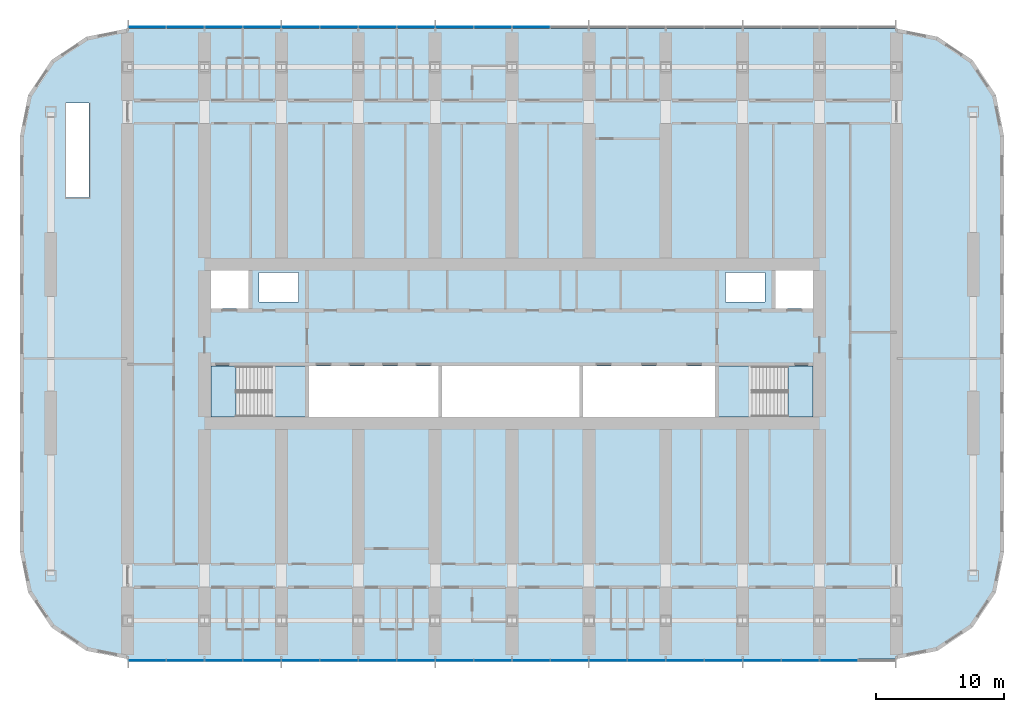
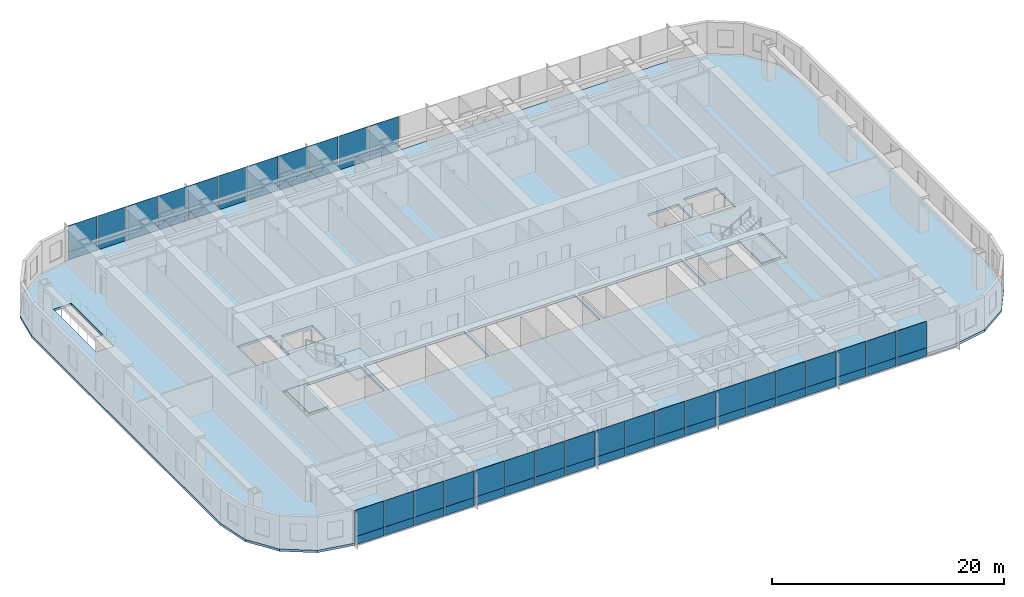
# One storey, part 8 of 22: 60 plates, 5 slabs, 4 elements without a shape of their own.
"""IFC4 building model written with IfcOpenShell, lengths in metres."""

import ifcopenshell
import ifcopenshell.guid

model = None  # the IFC model being written
_history = None  # IfcOwnerHistory: only IFC2X3 demands one
_inside = {}  # id of a spatial element -> (the spatial element, [elements in it])
_under = {}  # id of a project, library or spatial element -> (it, [spatial elements below it])
_declared = {}  # id of a project -> (the project, [libraries it declares])
_typed = {}  # id of a type object -> (the type object, [elements of that type])
_made_of = {}  # id of a material, layer set ... -> (it, [elements and type objects made of it])


def new_model(schema):
    """Start an empty IFC model of exactly this schema.

    Asked for "IFC4X3", IfcOpenShell would pick the latest addendum, in which some entities
    have other attributes; the version numbers below select the first issue.
    IFC2X3 requires an IfcOwnerHistory on every rooted entity: one is made here for all.
    """
    global model, _history
    if schema == "IFC4X3":
        model = ifcopenshell.file(schema_version=(4, 3, 0, 0))
    else:
        model = ifcopenshell.file(schema=schema)
    _inside.clear()
    _under.clear()
    _declared.clear()
    _typed.clear()
    _made_of.clear()
    _history = None
    if model.schema == "IFC2X3":
        org = make("IfcOrganization", Name="unknown")
        user = make(
            "IfcPersonAndOrganization",
            ThePerson=make("IfcPerson", FamilyName="unknown"),
            TheOrganization=org,
        )
        app = make(
            "IfcApplication",
            ApplicationDeveloper=org,
            Version="unknown",
            ApplicationFullName="unknown",
            ApplicationIdentifier="unknown",
        )
        _history = make(
            "IfcOwnerHistory",
            OwningUser=user,
            OwningApplication=app,
            ChangeAction="ADDED",
            CreationDate=0,
        )
    return model


def make(cls, **values):
    """One entity of the class cls with the attributes given. An attribute that is None is left unset."""
    return model.create_entity(
        cls, **{name: value for name, value in values.items() if value is not None}
    )


def rooted(cls, **values):
    """An entity with a GlobalId (a new one), such as an element, a storey or a relation."""
    return make(cls, GlobalId=ifcopenshell.guid.new(), OwnerHistory=_history, **values)


def si_unit(unit_type, name, prefix=None):
    """IfcSIUnit, for example si_unit("LENGTHUNIT", "METRE", prefix="MILLI")."""
    return make("IfcSIUnit", UnitType=unit_type, Prefix=prefix, Name=name)


def assignment(units):
    """IfcUnitAssignment: the units of a project."""
    return None if units is None else make("IfcUnitAssignment", Units=units)


def point(xyz):
    """IfcCartesianPoint."""
    return None if xyz is None else make("IfcCartesianPoint", Coordinates=xyz)


def direction(xyz):
    """IfcDirection."""
    return None if xyz is None else make("IfcDirection", DirectionRatios=xyz)


def frame(location, z_axis=None, x_axis=None):
    """IfcAxis2Placement3D, a coordinate frame: its origin and axes. An axis left out is left unset."""
    return make(
        "IfcAxis2Placement3D",
        Location=point(location),
        Axis=direction(z_axis),
        RefDirection=direction(x_axis),
    )


def frame_2d(location, x_axis=None):
    """IfcAxis2Placement2D, a coordinate frame in the plane: its origin and x axis."""
    return make(
        "IfcAxis2Placement2D", Location=point(location), RefDirection=direction(x_axis)
    )


def origin():
    """The frame at (0, 0, 0) with its axes left unset."""
    return frame((0.0, 0.0, 0.0))


def origin_2d():
    """The frame at (0, 0) in the plane with its x axis left unset."""
    return frame_2d((0.0, 0.0))


def place(relative_to, where):
    """IfcLocalPlacement: puts the frame where relative to a parent placement (None: the world)."""
    return make(
        "IfcLocalPlacement", PlacementRelTo=relative_to, RelativePlacement=where
    )


def context(
    kind, dimensions, precision=None, world=None, true_north=None, identifier=None
):
    """IfcGeometricRepresentationContext, for example the 3D "Model" context."""
    return make(
        "IfcGeometricRepresentationContext",
        ContextIdentifier=identifier,
        ContextType=kind,
        CoordinateSpaceDimension=dimensions,
        Precision=precision,
        WorldCoordinateSystem=world,
        TrueNorth=true_north,
    )


def subcontext(parent, identifier, kind, view, scale=None):
    """IfcGeometricRepresentationSubContext, for example "Body" below "Model"."""
    return make(
        "IfcGeometricRepresentationSubContext",
        ContextIdentifier=identifier,
        ContextType=kind,
        ParentContext=parent,
        TargetScale=scale,
        TargetView=view,
    )


def project(units=None, contexts=None):
    """IfcProject with its units and contexts."""
    return rooted(
        "IfcProject",
        Name="project",
        RepresentationContexts=contexts,
        UnitsInContext=assignment(units),
    )


def spatial(cls, under=None, at=None, **own):
    """A site, building, storey or space (cls), placed at a placement, below another one or the project."""
    s = rooted(cls, ObjectPlacement=at, **own)
    if under is not None:
        _under.setdefault(under.id(), (under, []))[1].append(s)
    return s


def polyline(points):
    """IfcPolyline through the points."""
    return make("IfcPolyline", Points=[point(p) for p in points])


def profile(cls, at=None, kind="AREA", **sizes):
    """A parametric profile (cls). Its sizes go by their IFC names, for example OverallWidth=200.0."""
    return make(cls, ProfileType=kind, Position=at, **sizes)


def rectangle(**sizes):
    """IfcRectangleProfileDef."""
    return profile("IfcRectangleProfileDef", **sizes)


def outline(outer, holes=None, kind="AREA"):
    """IfcArbitraryClosedProfileDef: a profile drawn as a closed curve; with holes, ...WithVoids."""
    if holes is None:
        return make("IfcArbitraryClosedProfileDef", ProfileType=kind, OuterCurve=outer)
    return make(
        "IfcArbitraryProfileDefWithVoids",
        ProfileType=kind,
        OuterCurve=outer,
        InnerCurves=holes,
    )


def extrude(swept, where, along, depth):
    """IfcExtrudedAreaSolid: the profile swept, set in the frame where, extruded along a direction by depth."""
    return make(
        "IfcExtrudedAreaSolid",
        SweptArea=swept,
        Position=where,
        ExtrudedDirection=direction(along),
        Depth=depth,
    )


def shape(context_of_items, identifier, shape_type, items):
    """IfcShapeRepresentation: the items that make up one representation, for example the "Body"."""
    return make(
        "IfcShapeRepresentation",
        ContextOfItems=context_of_items,
        RepresentationIdentifier=identifier,
        RepresentationType=shape_type,
        Items=items,
    )


def material(Name=None, Category=None):
    """IfcMaterial."""
    return make("IfcMaterial", Name=Name, Category=Category)


def layer(
    of_material, thickness, ventilated=None, Name=None, Category=None, Priority=None
):
    """IfcMaterialLayer: one layer of a wall or slab, of a material (None: an air gap)."""
    return make(
        "IfcMaterialLayer",
        Material=of_material,
        LayerThickness=thickness,
        IsVentilated=ventilated,
        Name=Name,
        Category=Category,
        Priority=Priority,
    )


def layer_set(layers, Name=None):
    """IfcMaterialLayerSet."""
    return make("IfcMaterialLayerSet", MaterialLayers=layers, LayerSetName=Name)


def made_of(thing, what):
    """Note that an element or type object is made of a material, layer set ...; save() writes the relation."""
    if what is not None:
        _made_of.setdefault(what.id(), (what, []))[1].append(thing)
    return thing


def type_object(cls, material=None, **own):
    """A type object (cls), such as IfcWallType, which elements share."""
    return made_of(rooted(cls, **own), material)


def element(
    cls,
    number,
    at=None,
    inside=None,
    cuts=None,
    type_object=None,
    material=None,
    context=None,
    identifier="Body",
    shape_type=None,
    held_by="IfcProductDefinitionShape",
    body=None,
    shapes=None,
    **own,
):
    """One element of the class cls, such as IfcWall. Its Tag is "e" and its number.

    at: its placement. inside: the storey or other place that contains it. cuts: it is an
    opening in that element (IfcRelVoidsElement). A single representation is given by context,
    identifier, shape_type and body (its items); several are given by shapes. held_by: the class
    of the entity that holds the representations. save() writes the other relations.
    """
    e = rooted(cls, Tag="e%d" % number, ObjectPlacement=at, **own)
    if body is not None:
        shapes = [shape(context, identifier, shape_type, body)]
    if shapes is not None:
        e.Representation = make(held_by, Representations=shapes)
    if inside is not None:
        _inside.setdefault(inside.id(), (inside, []))[1].append(e)
    if cuts is not None:
        rooted(
            "IfcRelVoidsElement", RelatingBuildingElement=cuts, RelatedOpeningElement=e
        )
    if type_object is not None:
        _typed.setdefault(type_object.id(), (type_object, []))[1].append(e)
    return made_of(e, material)


def aggregate(whole, parts):
    """IfcRelAggregates: a whole, such as a stair, and the parts it consists of."""
    return rooted("IfcRelAggregates", RelatingObject=whole, RelatedObjects=parts)


def save(model, path):
    """Write the relations noted so far, then the file.

    IfcRelAggregates (storeys below a building ...), IfcRelContainedInSpatialStructure (elements
    in a storey), IfcRelDefinesByType, IfcRelAssociatesMaterial and IfcRelDeclares: one each for
    every whole, place, type object, material and project.
    """
    for whole, parts in _under.values():
        aggregate(whole, parts)
    for where, things in _inside.values():
        rooted(
            "IfcRelContainedInSpatialStructure",
            RelatedElements=things,
            RelatingStructure=where,
        )
    for kind, things in _typed.values():
        rooted("IfcRelDefinesByType", RelatedObjects=things, RelatingType=kind)
    for what, things in _made_of.values():
        rooted("IfcRelAssociatesMaterial", RelatedObjects=things, RelatingMaterial=what)
    for by, libraries in _declared.values():
        rooted("IfcRelDeclares", RelatingContext=by, RelatedDefinitions=libraries)
    model.write(path)


model = new_model("IFC4")

# Units and contexts
model_context = context("Model", 3, precision=1e-05, world=origin(), true_north=direction((0.0, 1.0)))
body_context = subcontext(model_context, "Body", "Model", "MODEL_VIEW")
ifc_project = project(units=[si_unit("LENGTHUNIT", "METRE"), si_unit("AREAUNIT", "SQUARE_METRE"), si_unit("VOLUMEUNIT", "CUBIC_METRE"), si_unit("PLANEANGLEUNIT", "RADIAN"), si_unit("MASSUNIT", "GRAM", prefix="KILO")], contexts=[model_context])

# Site, building, storey
site_placement = place(None, origin())
site = spatial("IfcSite", under=ifc_project, at=site_placement, CompositionType="ELEMENT")
building_placement = place(site_placement, origin())
building = spatial("IfcBuilding", under=site, at=building_placement, Name="Orbita Commons", CompositionType="ELEMENT")
storey_placement = place(building_placement, frame((0.0, 0.0, 57.699951171875)))
storey = spatial("IfcBuildingStorey", under=building, at=storey_placement, Name="L14", CompositionType="ELEMENT", Elevation=57.699951171875)

# Slab
ifc_material_1 = material(Name="Concrete C40/50", Category="concrete")
ifc_layer_1 = layer(ifc_material_1, 0.25)
ifc_layer_set_1 = layer_set([ifc_layer_1], Name="Concrete C40/50")
slab_type_1 = type_object("IfcSlabType", Name="Floor slab 250", PredefinedType="FLOOR", material=ifc_layer_set_1)
slab_1_placement = place(storey_placement, frame((0.0, 0.0, -0.25)))
element("IfcSlab", 1, at=slab_1_placement, inside=storey, type_object=slab_type_1, Name="Floor slab L14", PredefinedType="FLOOR", context=body_context, shape_type="SweptSolid", body=[
    extrude(outline(polyline([(72.0, 7.39990234375), (75.214599609375, 8.039306640625), (77.939697265625, 9.8603515625), (79.760498046875, 12.58544921875), (80.39990234375, 15.800048828125), (80.39990234375, 48.199951171875), (79.760498046875, 51.41455078125), (77.939697265625, 54.1396484375), (75.214599609375, 55.960693359375), (72.0, 56.60009765625), (12.0, 56.60009765625), (8.785400390625, 55.960693359375), (6.060302734375, 54.1396484375), (4.239501953125, 51.41455078125), (3.60009765625, 48.199951171875), (3.60009765625, 15.800048828125), (4.239501953125, 12.58544921875), (6.060302734375, 9.8603515625), (8.785400390625, 8.039306640625), (12.0, 7.39990234375), (72.0, 7.39990234375)]), holes=[polyline([(18.14990234375, 25.949951171875), (25.85009765625, 25.949951171875), (25.85009765625, 30.25), (18.14990234375, 30.25), (18.14990234375, 25.949951171875)]), polyline([(58.14990234375, 25.949951171875), (65.85009765625, 25.949951171875), (65.85009765625, 30.25), (58.14990234375, 30.25), (58.14990234375, 25.949951171875)]), polyline([(18.14990234375, 34.75), (21.449951171875, 34.75), (21.449951171875, 38.050048828125), (18.14990234375, 38.050048828125), (18.14990234375, 34.75)]), polyline([(62.550048828125, 34.75), (65.85009765625, 34.75), (65.85009765625, 38.050048828125), (62.550048828125, 38.050048828125), (62.550048828125, 34.75)]), polyline([(22.25, 35.25), (25.35009765625, 35.25), (25.35009765625, 37.550048828125), (22.25, 37.550048828125), (22.25, 35.25)]), polyline([(58.64990234375, 35.25), (61.75, 35.25), (61.75, 37.550048828125), (58.64990234375, 37.550048828125), (58.64990234375, 35.25)]), polyline([(26.14990234375, 25.949951171875), (36.25, 25.949951171875), (36.25, 30.25), (26.14990234375, 30.25), (26.14990234375, 25.949951171875)]), polyline([(36.550048828125, 25.949951171875), (47.25, 25.949951171875), (47.25, 30.25), (36.550048828125, 30.25), (36.550048828125, 25.949951171875)]), polyline([(47.550048828125, 25.949951171875), (57.85009765625, 25.949951171875), (57.85009765625, 30.25), (47.550048828125, 30.25), (47.550048828125, 25.949951171875)]), polyline([(7.199951171875, 43.39990234375), (9.0, 43.39990234375), (9.0, 50.800048828125), (7.199951171875, 50.800048828125), (7.199951171875, 43.39990234375)])]), origin(), (0.0, 0.0, 1.0), 0.25),
])

# Curtain wall, plates
ifc_material_2 = material(Name="Anodised aluminium frame, pale silver", Category="aluminium")
curtain_wall_type = type_object("IfcCurtainWallType", Name="Unitised curtain wall CW-T, vision and spandrel", PredefinedType="NOTDEFINED", material=ifc_material_2)
curtain_wall_1_placement = place(storey_placement, origin())
curtain_wall_1 = element("IfcCurtainWall", 2, at=curtain_wall_1_placement, inside=storey, type_object=curtain_wall_type, Name="Curtain wall south L14", PredefinedType="NOTDEFINED")
ifc_material_3 = material(Name="Anodised aluminium sheet on mineral wool", Category="aluminium")
ifc_layer_2 = layer(ifc_material_3, 0.050048828125)
ifc_layer_set_2 = layer_set([ifc_layer_2], Name="Anodised aluminium sheet on mineral wool")
plate_type_1 = type_object("IfcPlateType", Name="Spandrel panel, pale aluminium over insulation 50", PredefinedType="CURTAIN_PANEL", material=ifc_layer_set_2)
plate_1_placement = place(storey_placement, frame((13.52001953125, 7.2900390625, -0.14990234375), z_axis=(0.0, 0.0, 1.0), x_axis=(1.0, 0.0, 0.0)))
plate_1 = element("IfcPlate", 3, at=plate_1_placement, type_object=plate_type_1, Name="Panel 1.1 CW-L14-S", PredefinedType="CURTAIN_PANEL", context=body_context, shape_type="SweptSolid", body=[
    extrude(rectangle(XDim=2.8798828125, YDim=0.050048828125, at=origin_2d()), origin(), (0.0, 0.0, 1.0), 0.875),
])
plate_2_placement = place(storey_placement, frame((16.5, 7.2900390625, -0.14990234375), z_axis=(0.0, 0.0, 1.0), x_axis=(1.0, 0.0, 0.0)))
plate_2 = element("IfcPlate", 4, at=plate_2_placement, type_object=plate_type_1, Name="Panel 2.1 CW-L14-S", PredefinedType="CURTAIN_PANEL", context=body_context, shape_type="SweptSolid", body=[
    extrude(rectangle(XDim=2.919921875, YDim=0.050048828125, at=origin_2d()), origin(), (0.0, 0.0, 1.0), 0.875),
])
plate_3_placement = place(storey_placement, frame((19.5, 7.2900390625, -0.14990234375), z_axis=(0.0, 0.0, 1.0), x_axis=(1.0, 0.0, 0.0)))
plate_3 = element("IfcPlate", 5, at=plate_3_placement, type_object=plate_type_1, Name="Panel 3.1 CW-L14-S", PredefinedType="CURTAIN_PANEL", context=body_context, shape_type="SweptSolid", body=[
    extrude(rectangle(XDim=2.919921875, YDim=0.050048828125, at=origin_2d()), origin(), (0.0, 0.0, 1.0), 0.875),
])
plate_4_placement = place(storey_placement, frame((22.5, 7.2900390625, -0.14990234375), z_axis=(0.0, 0.0, 1.0), x_axis=(1.0, 0.0, 0.0)))
plate_4 = element("IfcPlate", 6, at=plate_4_placement, type_object=plate_type_1, Name="Panel 4.1 CW-L14-S", PredefinedType="CURTAIN_PANEL", context=body_context, shape_type="SweptSolid", body=[
    extrude(rectangle(XDim=2.919921875, YDim=0.050048828125, at=origin_2d()), origin(), (0.0, 0.0, 1.0), 0.875),
])
plate_5_placement = place(storey_placement, frame((25.5, 7.2900390625, -0.14990234375), z_axis=(0.0, 0.0, 1.0), x_axis=(1.0, 0.0, 0.0)))
plate_5 = element("IfcPlate", 7, at=plate_5_placement, type_object=plate_type_1, Name="Panel 5.1 CW-L14-S", PredefinedType="CURTAIN_PANEL", context=body_context, shape_type="SweptSolid", body=[
    extrude(rectangle(XDim=2.919921875, YDim=0.050048828125, at=origin_2d()), origin(), (0.0, 0.0, 1.0), 0.875),
])
plate_6_placement = place(storey_placement, frame((28.5, 7.2900390625, -0.14990234375), z_axis=(0.0, 0.0, 1.0), x_axis=(1.0, 0.0, 0.0)))
plate_6 = element("IfcPlate", 8, at=plate_6_placement, type_object=plate_type_1, Name="Panel 6.1 CW-L14-S", PredefinedType="CURTAIN_PANEL", context=body_context, shape_type="SweptSolid", body=[
    extrude(rectangle(XDim=2.919921875, YDim=0.050048828125, at=origin_2d()), origin(), (0.0, 0.0, 1.0), 0.875),
])
plate_7_placement = place(storey_placement, frame((31.5, 7.2900390625, -0.14990234375), z_axis=(0.0, 0.0, 1.0), x_axis=(1.0, 0.0, 0.0)))
plate_7 = element("IfcPlate", 9, at=plate_7_placement, type_object=plate_type_1, Name="Panel 7.1 CW-L14-S", PredefinedType="CURTAIN_PANEL", context=body_context, shape_type="SweptSolid", body=[
    extrude(rectangle(XDim=2.919921875, YDim=0.050048828125, at=origin_2d()), origin(), (0.0, 0.0, 1.0), 0.875),
])
plate_8_placement = place(storey_placement, frame((34.5, 7.2900390625, -0.14990234375), z_axis=(0.0, 0.0, 1.0), x_axis=(1.0, 0.0, 0.0)))
plate_8 = element("IfcPlate", 10, at=plate_8_placement, type_object=plate_type_1, Name="Panel 8.1 CW-L14-S", PredefinedType="CURTAIN_PANEL", context=body_context, shape_type="SweptSolid", body=[
    extrude(rectangle(XDim=2.919921875, YDim=0.050048828125, at=origin_2d()), origin(), (0.0, 0.0, 1.0), 0.875),
])
plate_9_placement = place(storey_placement, frame((37.5, 7.2900390625, -0.14990234375), z_axis=(0.0, 0.0, 1.0), x_axis=(1.0, 0.0, 0.0)))
plate_9 = element("IfcPlate", 11, at=plate_9_placement, type_object=plate_type_1, Name="Panel 9.1 CW-L14-S", PredefinedType="CURTAIN_PANEL", context=body_context, shape_type="SweptSolid", body=[
    extrude(rectangle(XDim=2.919921875, YDim=0.050048828125, at=origin_2d()), origin(), (0.0, 0.0, 1.0), 0.875),
])
plate_10_placement = place(storey_placement, frame((40.5, 7.2900390625, -0.14990234375), z_axis=(0.0, 0.0, 1.0), x_axis=(1.0, 0.0, 0.0)))
plate_10 = element("IfcPlate", 12, at=plate_10_placement, type_object=plate_type_1, Name="Panel 10.1 CW-L14-S", PredefinedType="CURTAIN_PANEL", context=body_context, shape_type="SweptSolid", body=[
    extrude(rectangle(XDim=2.919921875, YDim=0.050048828125, at=origin_2d()), origin(), (0.0, 0.0, 1.0), 0.875),
])
plate_11_placement = place(storey_placement, frame((43.5, 7.2900390625, -0.14990234375), z_axis=(0.0, 0.0, 1.0), x_axis=(1.0, 0.0, 0.0)))
plate_11 = element("IfcPlate", 13, at=plate_11_placement, type_object=plate_type_1, Name="Panel 11.1 CW-L14-S", PredefinedType="CURTAIN_PANEL", context=body_context, shape_type="SweptSolid", body=[
    extrude(rectangle(XDim=2.919921875, YDim=0.050048828125, at=origin_2d()), origin(), (0.0, 0.0, 1.0), 0.875),
])
plate_12_placement = place(storey_placement, frame((46.5, 7.2900390625, -0.14990234375), z_axis=(0.0, 0.0, 1.0), x_axis=(1.0, 0.0, 0.0)))
plate_12 = element("IfcPlate", 14, at=plate_12_placement, type_object=plate_type_1, Name="Panel 12.1 CW-L14-S", PredefinedType="CURTAIN_PANEL", context=body_context, shape_type="SweptSolid", body=[
    extrude(rectangle(XDim=2.919921875, YDim=0.050048828125, at=origin_2d()), origin(), (0.0, 0.0, 1.0), 0.875),
])
plate_13_placement = place(storey_placement, frame((49.5, 7.2900390625, -0.14990234375), z_axis=(0.0, 0.0, 1.0), x_axis=(1.0, 0.0, 0.0)))
plate_13 = element("IfcPlate", 15, at=plate_13_placement, type_object=plate_type_1, Name="Panel 13.1 CW-L14-S", PredefinedType="CURTAIN_PANEL", context=body_context, shape_type="SweptSolid", body=[
    extrude(rectangle(XDim=2.919921875, YDim=0.050048828125, at=origin_2d()), origin(), (0.0, 0.0, 1.0), 0.875),
])
plate_14_placement = place(storey_placement, frame((52.5, 7.2900390625, -0.14990234375), z_axis=(0.0, 0.0, 1.0), x_axis=(1.0, 0.0, 0.0)))
plate_14 = element("IfcPlate", 16, at=plate_14_placement, type_object=plate_type_1, Name="Panel 14.1 CW-L14-S", PredefinedType="CURTAIN_PANEL", context=body_context, shape_type="SweptSolid", body=[
    extrude(rectangle(XDim=2.919921875, YDim=0.050048828125, at=origin_2d()), origin(), (0.0, 0.0, 1.0), 0.875),
])
plate_15_placement = place(storey_placement, frame((55.5, 7.2900390625, -0.14990234375), z_axis=(0.0, 0.0, 1.0), x_axis=(1.0, 0.0, 0.0)))
plate_15 = element("IfcPlate", 17, at=plate_15_placement, type_object=plate_type_1, Name="Panel 15.1 CW-L14-S", PredefinedType="CURTAIN_PANEL", context=body_context, shape_type="SweptSolid", body=[
    extrude(rectangle(XDim=2.919921875, YDim=0.050048828125, at=origin_2d()), origin(), (0.0, 0.0, 1.0), 0.875),
])
plate_16_placement = place(storey_placement, frame((58.5, 7.2900390625, -0.14990234375), z_axis=(0.0, 0.0, 1.0), x_axis=(1.0, 0.0, 0.0)))
plate_16 = element("IfcPlate", 18, at=plate_16_placement, type_object=plate_type_1, Name="Panel 16.1 CW-L14-S", PredefinedType="CURTAIN_PANEL", context=body_context, shape_type="SweptSolid", body=[
    extrude(rectangle(XDim=2.919921875, YDim=0.050048828125, at=origin_2d()), origin(), (0.0, 0.0, 1.0), 0.875),
])
plate_17_placement = place(storey_placement, frame((61.5, 7.2900390625, -0.14990234375), z_axis=(0.0, 0.0, 1.0), x_axis=(1.0, 0.0, 0.0)))
plate_17 = element("IfcPlate", 19, at=plate_17_placement, type_object=plate_type_1, Name="Panel 17.1 CW-L14-S", PredefinedType="CURTAIN_PANEL", context=body_context, shape_type="SweptSolid", body=[
    extrude(rectangle(XDim=2.919921875, YDim=0.050048828125, at=origin_2d()), origin(), (0.0, 0.0, 1.0), 0.875),
])
plate_18_placement = place(storey_placement, frame((64.5, 7.2900390625, -0.14990234375), z_axis=(0.0, 0.0, 1.0), x_axis=(1.0, 0.0, 0.0)))
plate_18 = element("IfcPlate", 20, at=plate_18_placement, type_object=plate_type_1, Name="Panel 18.1 CW-L14-S", PredefinedType="CURTAIN_PANEL", context=body_context, shape_type="SweptSolid", body=[
    extrude(rectangle(XDim=2.919921875, YDim=0.050048828125, at=origin_2d()), origin(), (0.0, 0.0, 1.0), 0.875),
])
plate_19_placement = place(storey_placement, frame((67.5, 7.2900390625, -0.14990234375), z_axis=(0.0, 0.0, 1.0), x_axis=(1.0, 0.0, 0.0)))
plate_19 = element("IfcPlate", 21, at=plate_19_placement, type_object=plate_type_1, Name="Panel 19.1 CW-L14-S", PredefinedType="CURTAIN_PANEL", context=body_context, shape_type="SweptSolid", body=[
    extrude(rectangle(XDim=2.919921875, YDim=0.050048828125, at=origin_2d()), origin(), (0.0, 0.0, 1.0), 0.875),
])

curtain_wall_2_placement = place(storey_placement, origin())
curtain_wall_2 = element("IfcCurtainWall", 22, at=curtain_wall_2_placement, inside=storey, type_object=curtain_wall_type, Name="Curtain wall north L14", PredefinedType="NOTDEFINED")
plate_20_placement = place(storey_placement, frame((43.5, 56.7099609375, -0.14990234375), z_axis=(0.0, 0.0, 1.0), x_axis=(-1.0, 0.0, 0.0)))
plate_20 = element("IfcPlate", 23, at=plate_20_placement, type_object=plate_type_1, Name="Panel 10.1 CW-L14-N", PredefinedType="CURTAIN_PANEL", context=body_context, shape_type="SweptSolid", body=[
    extrude(rectangle(XDim=2.919921875, YDim=0.050048828125, at=origin_2d()), origin(), (0.0, 0.0, 1.0), 0.875),
])
plate_21_placement = place(storey_placement, frame((40.5, 56.7099609375, -0.14990234375), z_axis=(0.0, 0.0, 1.0), x_axis=(-1.0, 0.0, 0.0)))
plate_21 = element("IfcPlate", 24, at=plate_21_placement, type_object=plate_type_1, Name="Panel 11.1 CW-L14-N", PredefinedType="CURTAIN_PANEL", context=body_context, shape_type="SweptSolid", body=[
    extrude(rectangle(XDim=2.919921875, YDim=0.050048828125, at=origin_2d()), origin(), (0.0, 0.0, 1.0), 0.875),
])
plate_22_placement = place(storey_placement, frame((37.5, 56.7099609375, -0.14990234375), z_axis=(0.0, 0.0, 1.0), x_axis=(-1.0, 0.0, 0.0)))
plate_22 = element("IfcPlate", 25, at=plate_22_placement, type_object=plate_type_1, Name="Panel 12.1 CW-L14-N", PredefinedType="CURTAIN_PANEL", context=body_context, shape_type="SweptSolid", body=[
    extrude(rectangle(XDim=2.919921875, YDim=0.050048828125, at=origin_2d()), origin(), (0.0, 0.0, 1.0), 0.875),
])
plate_23_placement = place(storey_placement, frame((34.5, 56.7099609375, -0.14990234375), z_axis=(0.0, 0.0, 1.0), x_axis=(-1.0, 0.0, 0.0)))
plate_23 = element("IfcPlate", 26, at=plate_23_placement, type_object=plate_type_1, Name="Panel 13.1 CW-L14-N", PredefinedType="CURTAIN_PANEL", context=body_context, shape_type="SweptSolid", body=[
    extrude(rectangle(XDim=2.919921875, YDim=0.050048828125, at=origin_2d()), origin(), (0.0, 0.0, 1.0), 0.875),
])
plate_24_placement = place(storey_placement, frame((31.5, 56.7099609375, -0.14990234375), z_axis=(0.0, 0.0, 1.0), x_axis=(-1.0, 0.0, 0.0)))
plate_24 = element("IfcPlate", 27, at=plate_24_placement, type_object=plate_type_1, Name="Panel 14.1 CW-L14-N", PredefinedType="CURTAIN_PANEL", context=body_context, shape_type="SweptSolid", body=[
    extrude(rectangle(XDim=2.919921875, YDim=0.050048828125, at=origin_2d()), origin(), (0.0, 0.0, 1.0), 0.875),
])
plate_25_placement = place(storey_placement, frame((28.5, 56.7099609375, -0.14990234375), z_axis=(0.0, 0.0, 1.0), x_axis=(-1.0, 0.0, 0.0)))
plate_25 = element("IfcPlate", 28, at=plate_25_placement, type_object=plate_type_1, Name="Panel 15.1 CW-L14-N", PredefinedType="CURTAIN_PANEL", context=body_context, shape_type="SweptSolid", body=[
    extrude(rectangle(XDim=2.919921875, YDim=0.050048828125, at=origin_2d()), origin(), (0.0, 0.0, 1.0), 0.875),
])
plate_26_placement = place(storey_placement, frame((25.5, 56.7099609375, -0.14990234375), z_axis=(0.0, 0.0, 1.0), x_axis=(-1.0, 0.0, 0.0)))
plate_26 = element("IfcPlate", 29, at=plate_26_placement, type_object=plate_type_1, Name="Panel 16.1 CW-L14-N", PredefinedType="CURTAIN_PANEL", context=body_context, shape_type="SweptSolid", body=[
    extrude(rectangle(XDim=2.919921875, YDim=0.050048828125, at=origin_2d()), origin(), (0.0, 0.0, 1.0), 0.875),
])
plate_27_placement = place(storey_placement, frame((22.5, 56.7099609375, -0.14990234375), z_axis=(0.0, 0.0, 1.0), x_axis=(-1.0, 0.0, 0.0)))
plate_27 = element("IfcPlate", 30, at=plate_27_placement, type_object=plate_type_1, Name="Panel 17.1 CW-L14-N", PredefinedType="CURTAIN_PANEL", context=body_context, shape_type="SweptSolid", body=[
    extrude(rectangle(XDim=2.919921875, YDim=0.050048828125, at=origin_2d()), origin(), (0.0, 0.0, 1.0), 0.875),
])
plate_28_placement = place(storey_placement, frame((19.5, 56.7099609375, -0.14990234375), z_axis=(0.0, 0.0, 1.0), x_axis=(-1.0, 0.0, 0.0)))
plate_28 = element("IfcPlate", 31, at=plate_28_placement, type_object=plate_type_1, Name="Panel 18.1 CW-L14-N", PredefinedType="CURTAIN_PANEL", context=body_context, shape_type="SweptSolid", body=[
    extrude(rectangle(XDim=2.919921875, YDim=0.050048828125, at=origin_2d()), origin(), (0.0, 0.0, 1.0), 0.875),
])
plate_29_placement = place(storey_placement, frame((16.5, 56.7099609375, -0.14990234375), z_axis=(0.0, 0.0, 1.0), x_axis=(-1.0, 0.0, 0.0)))
plate_29 = element("IfcPlate", 32, at=plate_29_placement, type_object=plate_type_1, Name="Panel 19.1 CW-L14-N", PredefinedType="CURTAIN_PANEL", context=body_context, shape_type="SweptSolid", body=[
    extrude(rectangle(XDim=2.919921875, YDim=0.050048828125, at=origin_2d()), origin(), (0.0, 0.0, 1.0), 0.875),
])
plate_30_placement = place(storey_placement, frame((13.52001953125, 56.7099609375, -0.14990234375), z_axis=(0.0, 0.0, 1.0), x_axis=(-1.0, 0.0, 0.0)))
plate_30 = element("IfcPlate", 33, at=plate_30_placement, type_object=plate_type_1, Name="Panel 20.1 CW-L14-N", PredefinedType="CURTAIN_PANEL", context=body_context, shape_type="SweptSolid", body=[
    extrude(rectangle(XDim=2.8798828125, YDim=0.050048828125, at=origin_2d()), origin(), (0.0, 0.0, 1.0), 0.875),
])

# Stair, slabs
ifc_material_4 = material(Name="Precast concrete C40/50", Category="concrete")
stair_type_1 = type_object("IfcStairType", Name="Exit stair S1 2 flights 11 risers 170", PredefinedType="HALF_TURN_STAIR", material=ifc_material_4)
stair_1_placement = place(storey_placement, origin())
stair_1 = element("IfcStair", 34, at=stair_1_placement, inside=storey, type_object=stair_type_1, Name="Exit stair S1 L14", PredefinedType="HALF_TURN_STAIR")
ifc_material_5 = material(Name="Concrete C40/50", Category="concrete")
ifc_layer_3 = layer(ifc_material_5, 0.199951171875)
ifc_layer_set_3 = layer_set([ifc_layer_3], Name="Concrete C40/50")
slab_type_2 = type_object("IfcSlabType", Name="Stair landing 200", PredefinedType="LANDING", material=ifc_layer_set_3)
slab_2_placement = place(storey_placement, frame((0.0, 0.0, -0.199951171875)))
slab_2 = element("IfcSlab", 35, at=slab_2_placement, type_object=slab_type_2, Name="S1 landing 1", PredefinedType="LANDING", context=body_context, shape_type="SweptSolid", body=[
    extrude(outline(polyline([(18.5, 26.300048828125), (20.449951171875, 26.300048828125), (20.449951171875, 30.25), (18.5, 30.25), (18.5, 26.300048828125)])), origin(), (0.0, 0.0, 1.0), 0.199951171875),
])
slab_3_placement = place(storey_placement, frame((0.0, 0.0, 1.675048828125)))
slab_3 = element("IfcSlab", 36, at=slab_3_placement, type_object=slab_type_2, Name="S1 landing 2", PredefinedType="LANDING", context=body_context, shape_type="SweptSolid", body=[
    extrude(outline(polyline([(23.25, 26.284912109375), (25.864990234375, 26.284912109375), (25.864990234375, 30.264892578125), (23.25, 30.264892578125), (23.25, 26.284912109375)])), origin(), (0.0, 0.0, 1.0), 0.199951171875),
])
aggregate(stair_1, [slab_2, slab_3])

ifc_material_6 = material(Name="Precast concrete C40/50", Category="concrete")
stair_type_2 = type_object("IfcStairType", Name="Exit stair S2 2 flights 11 risers 170", PredefinedType="HALF_TURN_STAIR", material=ifc_material_6)
stair_2_placement = place(storey_placement, origin())
stair_2 = element("IfcStair", 37, at=stair_2_placement, inside=storey, type_object=stair_type_2, Name="Exit stair S2 L14", PredefinedType="HALF_TURN_STAIR")
slab_4_placement = place(storey_placement, frame((0.0, 0.0, -0.199951171875)))
slab_4 = element("IfcSlab", 38, at=slab_4_placement, type_object=slab_type_2, Name="S2 landing 1", PredefinedType="LANDING", context=body_context, shape_type="SweptSolid", body=[
    extrude(outline(polyline([(63.550048828125, 26.300048828125), (65.5, 26.300048828125), (65.5, 30.25), (63.550048828125, 30.25), (63.550048828125, 26.300048828125)])), origin(), (0.0, 0.0, 1.0), 0.199951171875),
])
slab_5_placement = place(storey_placement, frame((0.0, 0.0, 1.675048828125)))
slab_5 = element("IfcSlab", 39, at=slab_5_placement, type_object=slab_type_2, Name="S2 landing 2", PredefinedType="LANDING", context=body_context, shape_type="SweptSolid", body=[
    extrude(outline(polyline([(58.135009765625, 26.284912109375), (60.75, 26.284912109375), (60.75, 30.264892578125), (58.135009765625, 30.264892578125), (58.135009765625, 26.284912109375)])), origin(), (0.0, 0.0, 1.0), 0.199951171875),
])
aggregate(stair_2, [slab_4, slab_5])

# Plate
ifc_material_7 = material(Name="Clear double glazing", Category="glass")
ifc_layer_4 = layer(ifc_material_7, 0.031982421875)
ifc_layer_set_4 = layer_set([ifc_layer_4], Name="Clear double glazing")
plate_type_2 = type_object("IfcPlateType", Name="Vision panel, clear double glazing 32", PredefinedType="CURTAIN_PANEL", material=ifc_layer_set_4)
plate_31_placement = place(storey_placement, frame((13.52001953125, 7.2900390625, 0.72509765625), z_axis=(0.0, 0.0, 1.0), x_axis=(1.0, 0.0, 0.0)))
plate_31 = element("IfcPlate", 40, at=plate_31_placement, type_object=plate_type_2, Name="Panel 1.2 CW-L14-S", PredefinedType="CURTAIN_PANEL", context=body_context, shape_type="SweptSolid", body=[
    extrude(rectangle(XDim=2.8798828125, YDim=0.031982421875, at=origin_2d()), origin(), (0.0, 0.0, 1.0), 2.77490234375),
])

plate_32_placement = place(storey_placement, frame((16.5, 7.2900390625, 0.72509765625), z_axis=(0.0, 0.0, 1.0), x_axis=(1.0, 0.0, 0.0)))
plate_32 = element("IfcPlate", 41, at=plate_32_placement, type_object=plate_type_2, Name="Panel 2.2 CW-L14-S", PredefinedType="CURTAIN_PANEL", context=body_context, shape_type="SweptSolid", body=[
    extrude(rectangle(XDim=2.919921875, YDim=0.031982421875, at=origin_2d()), origin(), (0.0, 0.0, 1.0), 2.77490234375),
])

plate_33_placement = place(storey_placement, frame((19.5, 7.2900390625, 0.72509765625), z_axis=(0.0, 0.0, 1.0), x_axis=(1.0, 0.0, 0.0)))
plate_33 = element("IfcPlate", 42, at=plate_33_placement, type_object=plate_type_2, Name="Panel 3.2 CW-L14-S", PredefinedType="CURTAIN_PANEL", context=body_context, shape_type="SweptSolid", body=[
    extrude(rectangle(XDim=2.919921875, YDim=0.031982421875, at=origin_2d()), origin(), (0.0, 0.0, 1.0), 2.77490234375),
])

plate_34_placement = place(storey_placement, frame((22.5, 7.2900390625, 0.72509765625), z_axis=(0.0, 0.0, 1.0), x_axis=(1.0, 0.0, 0.0)))
plate_34 = element("IfcPlate", 43, at=plate_34_placement, type_object=plate_type_2, Name="Panel 4.2 CW-L14-S", PredefinedType="CURTAIN_PANEL", context=body_context, shape_type="SweptSolid", body=[
    extrude(rectangle(XDim=2.919921875, YDim=0.031982421875, at=origin_2d()), origin(), (0.0, 0.0, 1.0), 2.77490234375),
])

plate_35_placement = place(storey_placement, frame((25.5, 7.2900390625, 0.72509765625), z_axis=(0.0, 0.0, 1.0), x_axis=(1.0, 0.0, 0.0)))
plate_35 = element("IfcPlate", 44, at=plate_35_placement, type_object=plate_type_2, Name="Panel 5.2 CW-L14-S", PredefinedType="CURTAIN_PANEL", context=body_context, shape_type="SweptSolid", body=[
    extrude(rectangle(XDim=2.919921875, YDim=0.031982421875, at=origin_2d()), origin(), (0.0, 0.0, 1.0), 2.77490234375),
])

plate_36_placement = place(storey_placement, frame((28.5, 7.2900390625, 0.72509765625), z_axis=(0.0, 0.0, 1.0), x_axis=(1.0, 0.0, 0.0)))
plate_36 = element("IfcPlate", 45, at=plate_36_placement, type_object=plate_type_2, Name="Panel 6.2 CW-L14-S", PredefinedType="CURTAIN_PANEL", context=body_context, shape_type="SweptSolid", body=[
    extrude(rectangle(XDim=2.919921875, YDim=0.031982421875, at=origin_2d()), origin(), (0.0, 0.0, 1.0), 2.77490234375),
])

plate_37_placement = place(storey_placement, frame((31.5, 7.2900390625, 0.72509765625), z_axis=(0.0, 0.0, 1.0), x_axis=(1.0, 0.0, 0.0)))
plate_37 = element("IfcPlate", 46, at=plate_37_placement, type_object=plate_type_2, Name="Panel 7.2 CW-L14-S", PredefinedType="CURTAIN_PANEL", context=body_context, shape_type="SweptSolid", body=[
    extrude(rectangle(XDim=2.919921875, YDim=0.031982421875, at=origin_2d()), origin(), (0.0, 0.0, 1.0), 2.77490234375),
])

plate_38_placement = place(storey_placement, frame((34.5, 7.2900390625, 0.72509765625), z_axis=(0.0, 0.0, 1.0), x_axis=(1.0, 0.0, 0.0)))
plate_38 = element("IfcPlate", 47, at=plate_38_placement, type_object=plate_type_2, Name="Panel 8.2 CW-L14-S", PredefinedType="CURTAIN_PANEL", context=body_context, shape_type="SweptSolid", body=[
    extrude(rectangle(XDim=2.919921875, YDim=0.031982421875, at=origin_2d()), origin(), (0.0, 0.0, 1.0), 2.77490234375),
])

plate_39_placement = place(storey_placement, frame((37.5, 7.2900390625, 0.72509765625), z_axis=(0.0, 0.0, 1.0), x_axis=(1.0, 0.0, 0.0)))
plate_39 = element("IfcPlate", 48, at=plate_39_placement, type_object=plate_type_2, Name="Panel 9.2 CW-L14-S", PredefinedType="CURTAIN_PANEL", context=body_context, shape_type="SweptSolid", body=[
    extrude(rectangle(XDim=2.919921875, YDim=0.031982421875, at=origin_2d()), origin(), (0.0, 0.0, 1.0), 2.77490234375),
])

plate_40_placement = place(storey_placement, frame((40.5, 7.2900390625, 0.72509765625), z_axis=(0.0, 0.0, 1.0), x_axis=(1.0, 0.0, 0.0)))
plate_40 = element("IfcPlate", 49, at=plate_40_placement, type_object=plate_type_2, Name="Panel 10.2 CW-L14-S", PredefinedType="CURTAIN_PANEL", context=body_context, shape_type="SweptSolid", body=[
    extrude(rectangle(XDim=2.919921875, YDim=0.031982421875, at=origin_2d()), origin(), (0.0, 0.0, 1.0), 2.77490234375),
])

plate_41_placement = place(storey_placement, frame((43.5, 7.2900390625, 0.72509765625), z_axis=(0.0, 0.0, 1.0), x_axis=(1.0, 0.0, 0.0)))
plate_41 = element("IfcPlate", 50, at=plate_41_placement, type_object=plate_type_2, Name="Panel 11.2 CW-L14-S", PredefinedType="CURTAIN_PANEL", context=body_context, shape_type="SweptSolid", body=[
    extrude(rectangle(XDim=2.919921875, YDim=0.031982421875, at=origin_2d()), origin(), (0.0, 0.0, 1.0), 2.77490234375),
])

plate_42_placement = place(storey_placement, frame((46.5, 7.2900390625, 0.72509765625), z_axis=(0.0, 0.0, 1.0), x_axis=(1.0, 0.0, 0.0)))
plate_42 = element("IfcPlate", 51, at=plate_42_placement, type_object=plate_type_2, Name="Panel 12.2 CW-L14-S", PredefinedType="CURTAIN_PANEL", context=body_context, shape_type="SweptSolid", body=[
    extrude(rectangle(XDim=2.919921875, YDim=0.031982421875, at=origin_2d()), origin(), (0.0, 0.0, 1.0), 2.77490234375),
])

plate_43_placement = place(storey_placement, frame((49.5, 7.2900390625, 0.72509765625), z_axis=(0.0, 0.0, 1.0), x_axis=(1.0, 0.0, 0.0)))
plate_43 = element("IfcPlate", 52, at=plate_43_placement, type_object=plate_type_2, Name="Panel 13.2 CW-L14-S", PredefinedType="CURTAIN_PANEL", context=body_context, shape_type="SweptSolid", body=[
    extrude(rectangle(XDim=2.919921875, YDim=0.031982421875, at=origin_2d()), origin(), (0.0, 0.0, 1.0), 2.77490234375),
])

plate_44_placement = place(storey_placement, frame((52.5, 7.2900390625, 0.72509765625), z_axis=(0.0, 0.0, 1.0), x_axis=(1.0, 0.0, 0.0)))
plate_44 = element("IfcPlate", 53, at=plate_44_placement, type_object=plate_type_2, Name="Panel 14.2 CW-L14-S", PredefinedType="CURTAIN_PANEL", context=body_context, shape_type="SweptSolid", body=[
    extrude(rectangle(XDim=2.919921875, YDim=0.031982421875, at=origin_2d()), origin(), (0.0, 0.0, 1.0), 2.77490234375),
])

plate_45_placement = place(storey_placement, frame((55.5, 7.2900390625, 0.72509765625), z_axis=(0.0, 0.0, 1.0), x_axis=(1.0, 0.0, 0.0)))
plate_45 = element("IfcPlate", 54, at=plate_45_placement, type_object=plate_type_2, Name="Panel 15.2 CW-L14-S", PredefinedType="CURTAIN_PANEL", context=body_context, shape_type="SweptSolid", body=[
    extrude(rectangle(XDim=2.919921875, YDim=0.031982421875, at=origin_2d()), origin(), (0.0, 0.0, 1.0), 2.77490234375),
])

plate_46_placement = place(storey_placement, frame((58.5, 7.2900390625, 0.72509765625), z_axis=(0.0, 0.0, 1.0), x_axis=(1.0, 0.0, 0.0)))
plate_46 = element("IfcPlate", 55, at=plate_46_placement, type_object=plate_type_2, Name="Panel 16.2 CW-L14-S", PredefinedType="CURTAIN_PANEL", context=body_context, shape_type="SweptSolid", body=[
    extrude(rectangle(XDim=2.919921875, YDim=0.031982421875, at=origin_2d()), origin(), (0.0, 0.0, 1.0), 2.77490234375),
])

plate_47_placement = place(storey_placement, frame((61.5, 7.2900390625, 0.72509765625), z_axis=(0.0, 0.0, 1.0), x_axis=(1.0, 0.0, 0.0)))
plate_47 = element("IfcPlate", 56, at=plate_47_placement, type_object=plate_type_2, Name="Panel 17.2 CW-L14-S", PredefinedType="CURTAIN_PANEL", context=body_context, shape_type="SweptSolid", body=[
    extrude(rectangle(XDim=2.919921875, YDim=0.031982421875, at=origin_2d()), origin(), (0.0, 0.0, 1.0), 2.77490234375),
])

plate_48_placement = place(storey_placement, frame((64.5, 7.2900390625, 0.72509765625), z_axis=(0.0, 0.0, 1.0), x_axis=(1.0, 0.0, 0.0)))
plate_48 = element("IfcPlate", 57, at=plate_48_placement, type_object=plate_type_2, Name="Panel 18.2 CW-L14-S", PredefinedType="CURTAIN_PANEL", context=body_context, shape_type="SweptSolid", body=[
    extrude(rectangle(XDim=2.919921875, YDim=0.031982421875, at=origin_2d()), origin(), (0.0, 0.0, 1.0), 2.77490234375),
])

plate_49_placement = place(storey_placement, frame((67.5, 7.2900390625, 0.72509765625), z_axis=(0.0, 0.0, 1.0), x_axis=(1.0, 0.0, 0.0)))
plate_49 = element("IfcPlate", 58, at=plate_49_placement, type_object=plate_type_2, Name="Panel 19.2 CW-L14-S", PredefinedType="CURTAIN_PANEL", context=body_context, shape_type="SweptSolid", body=[
    extrude(rectangle(XDim=2.919921875, YDim=0.031982421875, at=origin_2d()), origin(), (0.0, 0.0, 1.0), 2.77490234375),
])

aggregate(curtain_wall_1, [plate_1, plate_31, plate_2, plate_32, plate_3, plate_33, plate_4, plate_34, plate_5, plate_35, plate_6, plate_36, plate_7, plate_37, plate_8, plate_38, plate_9, plate_39, plate_10, plate_40, plate_11, plate_41, plate_12, plate_42, plate_13, plate_43, plate_14, plate_44, plate_15, plate_45, plate_16, plate_46, plate_17, plate_47, plate_18, plate_48, plate_19, plate_49])

plate_50_placement = place(storey_placement, frame((43.5, 56.7099609375, 0.72509765625), z_axis=(0.0, 0.0, 1.0), x_axis=(-1.0, 0.0, 0.0)))
plate_50 = element("IfcPlate", 59, at=plate_50_placement, type_object=plate_type_2, Name="Panel 10.2 CW-L14-N", PredefinedType="CURTAIN_PANEL", context=body_context, shape_type="SweptSolid", body=[
    extrude(rectangle(XDim=2.919921875, YDim=0.031982421875, at=origin_2d()), origin(), (0.0, 0.0, 1.0), 2.77490234375),
])

plate_51_placement = place(storey_placement, frame((40.5, 56.7099609375, 0.72509765625), z_axis=(0.0, 0.0, 1.0), x_axis=(-1.0, 0.0, 0.0)))
plate_51 = element("IfcPlate", 60, at=plate_51_placement, type_object=plate_type_2, Name="Panel 11.2 CW-L14-N", PredefinedType="CURTAIN_PANEL", context=body_context, shape_type="SweptSolid", body=[
    extrude(rectangle(XDim=2.919921875, YDim=0.031982421875, at=origin_2d()), origin(), (0.0, 0.0, 1.0), 2.77490234375),
])

plate_52_placement = place(storey_placement, frame((37.5, 56.7099609375, 0.72509765625), z_axis=(0.0, 0.0, 1.0), x_axis=(-1.0, 0.0, 0.0)))
plate_52 = element("IfcPlate", 61, at=plate_52_placement, type_object=plate_type_2, Name="Panel 12.2 CW-L14-N", PredefinedType="CURTAIN_PANEL", context=body_context, shape_type="SweptSolid", body=[
    extrude(rectangle(XDim=2.919921875, YDim=0.031982421875, at=origin_2d()), origin(), (0.0, 0.0, 1.0), 2.77490234375),
])

plate_53_placement = place(storey_placement, frame((34.5, 56.7099609375, 0.72509765625), z_axis=(0.0, 0.0, 1.0), x_axis=(-1.0, 0.0, 0.0)))
plate_53 = element("IfcPlate", 62, at=plate_53_placement, type_object=plate_type_2, Name="Panel 13.2 CW-L14-N", PredefinedType="CURTAIN_PANEL", context=body_context, shape_type="SweptSolid", body=[
    extrude(rectangle(XDim=2.919921875, YDim=0.031982421875, at=origin_2d()), origin(), (0.0, 0.0, 1.0), 2.77490234375),
])

plate_54_placement = place(storey_placement, frame((31.5, 56.7099609375, 0.72509765625), z_axis=(0.0, 0.0, 1.0), x_axis=(-1.0, 0.0, 0.0)))
plate_54 = element("IfcPlate", 63, at=plate_54_placement, type_object=plate_type_2, Name="Panel 14.2 CW-L14-N", PredefinedType="CURTAIN_PANEL", context=body_context, shape_type="SweptSolid", body=[
    extrude(rectangle(XDim=2.919921875, YDim=0.031982421875, at=origin_2d()), origin(), (0.0, 0.0, 1.0), 2.77490234375),
])

plate_55_placement = place(storey_placement, frame((28.5, 56.7099609375, 0.72509765625), z_axis=(0.0, 0.0, 1.0), x_axis=(-1.0, 0.0, 0.0)))
plate_55 = element("IfcPlate", 64, at=plate_55_placement, type_object=plate_type_2, Name="Panel 15.2 CW-L14-N", PredefinedType="CURTAIN_PANEL", context=body_context, shape_type="SweptSolid", body=[
    extrude(rectangle(XDim=2.919921875, YDim=0.031982421875, at=origin_2d()), origin(), (0.0, 0.0, 1.0), 2.77490234375),
])

plate_56_placement = place(storey_placement, frame((25.5, 56.7099609375, 0.72509765625), z_axis=(0.0, 0.0, 1.0), x_axis=(-1.0, 0.0, 0.0)))
plate_56 = element("IfcPlate", 65, at=plate_56_placement, type_object=plate_type_2, Name="Panel 16.2 CW-L14-N", PredefinedType="CURTAIN_PANEL", context=body_context, shape_type="SweptSolid", body=[
    extrude(rectangle(XDim=2.919921875, YDim=0.031982421875, at=origin_2d()), origin(), (0.0, 0.0, 1.0), 2.77490234375),
])

plate_57_placement = place(storey_placement, frame((22.5, 56.7099609375, 0.72509765625), z_axis=(0.0, 0.0, 1.0), x_axis=(-1.0, 0.0, 0.0)))
plate_57 = element("IfcPlate", 66, at=plate_57_placement, type_object=plate_type_2, Name="Panel 17.2 CW-L14-N", PredefinedType="CURTAIN_PANEL", context=body_context, shape_type="SweptSolid", body=[
    extrude(rectangle(XDim=2.919921875, YDim=0.031982421875, at=origin_2d()), origin(), (0.0, 0.0, 1.0), 2.77490234375),
])

plate_58_placement = place(storey_placement, frame((19.5, 56.7099609375, 0.72509765625), z_axis=(0.0, 0.0, 1.0), x_axis=(-1.0, 0.0, 0.0)))
plate_58 = element("IfcPlate", 67, at=plate_58_placement, type_object=plate_type_2, Name="Panel 18.2 CW-L14-N", PredefinedType="CURTAIN_PANEL", context=body_context, shape_type="SweptSolid", body=[
    extrude(rectangle(XDim=2.919921875, YDim=0.031982421875, at=origin_2d()), origin(), (0.0, 0.0, 1.0), 2.77490234375),
])

plate_59_placement = place(storey_placement, frame((16.5, 56.7099609375, 0.72509765625), z_axis=(0.0, 0.0, 1.0), x_axis=(-1.0, 0.0, 0.0)))
plate_59 = element("IfcPlate", 68, at=plate_59_placement, type_object=plate_type_2, Name="Panel 19.2 CW-L14-N", PredefinedType="CURTAIN_PANEL", context=body_context, shape_type="SweptSolid", body=[
    extrude(rectangle(XDim=2.919921875, YDim=0.031982421875, at=origin_2d()), origin(), (0.0, 0.0, 1.0), 2.77490234375),
])

plate_60_placement = place(storey_placement, frame((13.52001953125, 56.7099609375, 0.72509765625), z_axis=(0.0, 0.0, 1.0), x_axis=(-1.0, 0.0, 0.0)))
plate_60 = element("IfcPlate", 69, at=plate_60_placement, type_object=plate_type_2, Name="Panel 20.2 CW-L14-N", PredefinedType="CURTAIN_PANEL", context=body_context, shape_type="SweptSolid", body=[
    extrude(rectangle(XDim=2.8798828125, YDim=0.031982421875, at=origin_2d()), origin(), (0.0, 0.0, 1.0), 2.77490234375),
])

aggregate(curtain_wall_2, [plate_20, plate_50, plate_21, plate_51, plate_22, plate_52, plate_23, plate_53, plate_24, plate_54, plate_25, plate_55, plate_26, plate_56, plate_27, plate_57, plate_28, plate_58, plate_29, plate_59, plate_30, plate_60])

save(model, "model.ifc")
